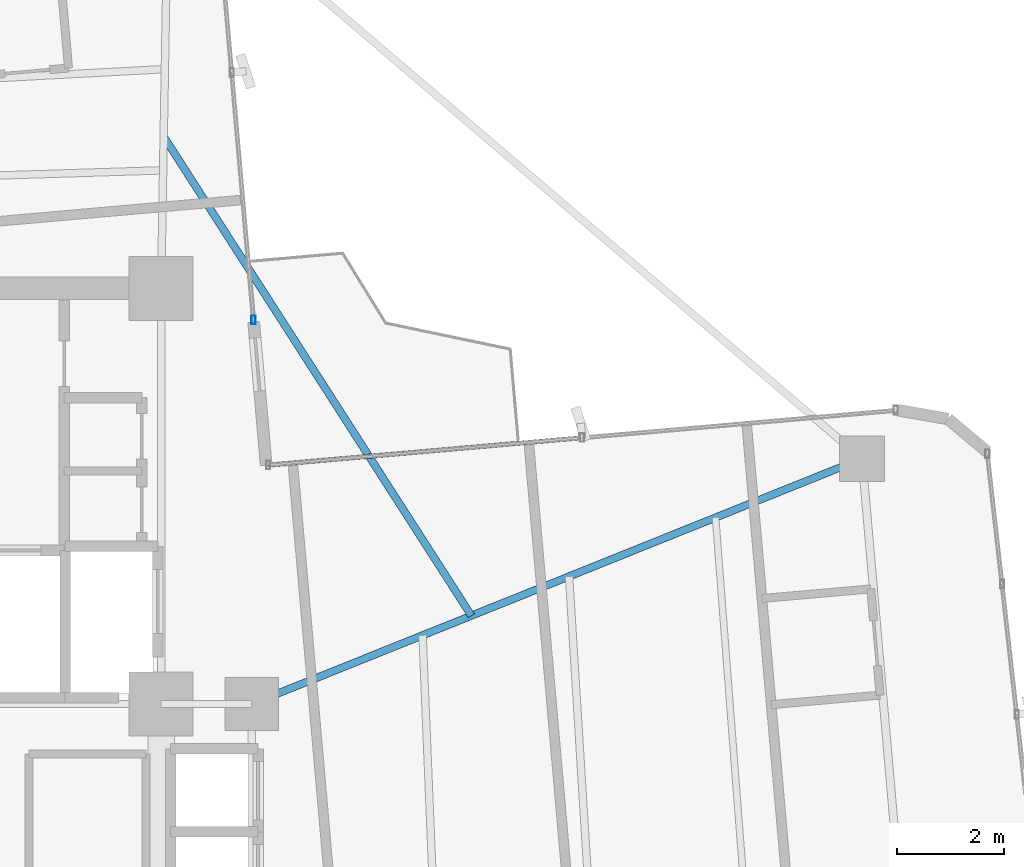
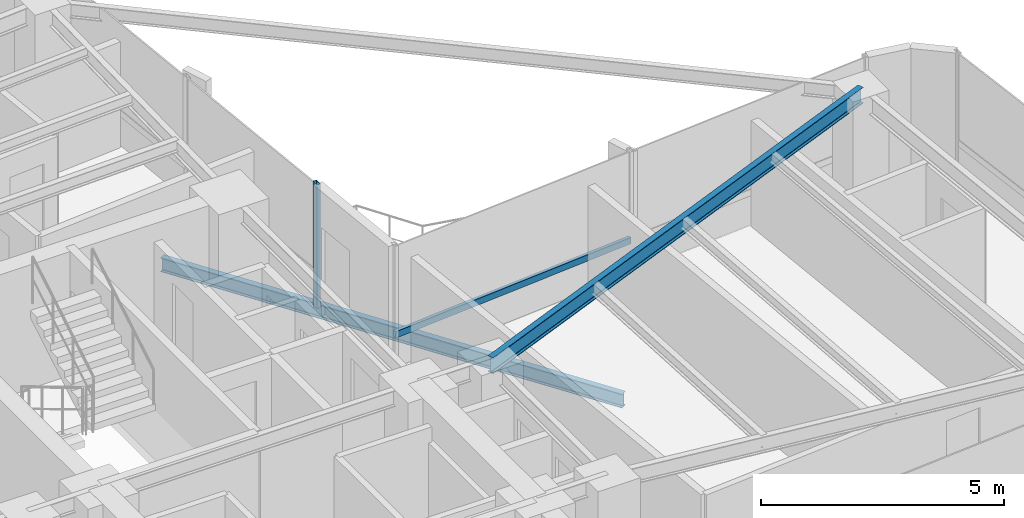
# One storey, part 12 of 24: 2 beams, 2 members, 2 elements without a shape of their own.
"""IFC4 building model written with IfcOpenShell, lengths in metres."""

from ifc_helpers import new_model, si_unit, direction, frame, origin, origin_2d, place, context, subcontext, project, spatial, hollow_rectangle, i_section, extrude, source, transform, mapped, material, material_profile, profile_set, type_object, element, aggregate, save


model = new_model("IFC4")

# Units and contexts
model_context = context("Model", 3, precision=1e-05, world=origin(), true_north=direction((0.0, 1.0)))
body_context = subcontext(model_context, "Body", "Model", "MODEL_VIEW")
ifc_project = project(units=[si_unit("LENGTHUNIT", "METRE"), si_unit("AREAUNIT", "SQUARE_METRE"), si_unit("VOLUMEUNIT", "CUBIC_METRE"), si_unit("PLANEANGLEUNIT", "RADIAN"), si_unit("MASSUNIT", "GRAM", prefix="KILO")], contexts=[model_context])

# Site, building, storey
site_placement = place(None, origin())
site = spatial("IfcSite", under=ifc_project, at=site_placement, CompositionType="ELEMENT")
building_placement = place(site_placement, origin())
building = spatial("IfcBuilding", under=site, at=building_placement, Name="Sahyath Konkavel Grand Hotel", CompositionType="ELEMENT")
storey_placement = place(building_placement, frame((0.0, 0.0, 181.89990234375)))
storey = spatial("IfcBuildingStorey", under=building, at=storey_placement, Name="L50", CompositionType="ELEMENT", Elevation=181.89990234375)

# Beam
ifc_material_1 = material(Name="Steel E350", Category="steel")
ifc_material_profile_1 = material_profile(ifc_material_1, i_section(OverallWidth=0.139892578125, OverallDepth=0.39990234375, WebThickness=0.0087890625, FlangeThickness=0.01611328125, FilletRadius=0.013916015625, at=origin_2d()), Name="ISMB 400")
ifc_profile_set_1 = profile_set([ifc_material_profile_1], Name="Steel E350")
beam_type_1 = type_object("IfcBeamType", Name="BM-ISMB400", PredefinedType="BEAM", material=ifc_profile_set_1)
shared_shape_1 = source(origin(), body_context, "Body", "SweptSolid", [
    extrude(i_section(OverallWidth=0.139892578125, OverallDepth=0.39990234375, WebThickness=0.0087890625, FlangeThickness=0.01611328125, FilletRadius=0.013916015625, at=origin_2d()), origin(), (0.0, 0.0, 1.0), 12.344970703125),
])
beam_1_placement = place(storey_placement, frame((5.5, 2.39990234375, 2.91015625), z_axis=(0.927837014101, 0.372985891507, 0.0), x_axis=(-0.372985891507, 0.927837014101, 0.0)))
element("IfcBeam", 1, at=beam_1_placement, inside=storey, type_object=beam_type_1, Name="L50 Cruciform Radial Girder EB", PredefinedType="BEAM", context=body_context, shape_type="MappedRepresentation", body=[
    mapped(shared_shape_1, transform((0.0, 0.0, 0.0), scale=1.0)),
])

# Curtain wall, member
ifc_material_2 = material(Name="Anodised Bronze Aluminium & Low-E Glazing", Category="aluminium")
curtain_wall_type = type_object("IfcCurtainWallType", Name="CW-ZONE3", PredefinedType="NOTDEFINED", material=ifc_material_2)
curtain_wall_1_placement = place(storey_placement, origin())
curtain_wall_1 = element("IfcCurtainWall", 2, at=curtain_wall_1_placement, inside=storey, type_object=curtain_wall_type, Name="L50 Unitised Curtain Wall F8", PredefinedType="NOTDEFINED")
ifc_material_3 = material(Name="Anodised Bronze Aluminium", Category="aluminium")
ifc_material_profile_2 = material_profile(ifc_material_3, hollow_rectangle(XDim=0.080078125, YDim=0.159912109375, WallThickness=0.006103515625, at=origin_2d()), Name="RHS 160x80x6")
ifc_profile_set_2 = profile_set([ifc_material_profile_2], Name="Anodised Bronze Aluminium")
member_type_1 = type_object("IfcMemberType", Name="CW-MUL-160", PredefinedType="MULLION", material=ifc_profile_set_2)
shared_shape_2 = source(origin(), body_context, "Body", "SweptSolid", [
    extrude(hollow_rectangle(XDim=0.080078125, YDim=0.159912109375, WallThickness=0.006103515625, at=origin_2d()), origin(), (0.0, 0.0, 1.0), 3.110107421875),
])
member_1_placement = place(storey_placement, frame((5.53369140625, 9.60888671875, 0.0), z_axis=(0.0, 0.0, 1.0), x_axis=(1.0, 0.0, 0.0)))
member_1 = element("IfcMember", 3, at=member_1_placement, type_object=member_type_1, Name="L50 Curtain Wall Mullion F8-0", PredefinedType="MULLION", context=body_context, shape_type="MappedRepresentation", body=[
    mapped(shared_shape_2, transform((0.0, 0.0, 0.0), scale=1.0)),
])
aggregate(curtain_wall_1, [member_1])

curtain_wall_2_placement = place(storey_placement, origin())
curtain_wall_2 = element("IfcCurtainWall", 4, at=curtain_wall_2_placement, inside=storey, type_object=curtain_wall_type, Name="L50 Unitised Curtain Wall F7", PredefinedType="NOTDEFINED")
ifc_material_profile_3 = material_profile(ifc_material_3, hollow_rectangle(XDim=0.080078125, YDim=0.159912109375, WallThickness=0.006103515625, at=origin_2d()), Name="RHS 160x80x6")
ifc_profile_set_3 = profile_set([ifc_material_profile_3], Name="Anodised Bronze Aluminium")
member_type_2 = type_object("IfcMemberType", Name="CW-TRN-160", PredefinedType="USERDEFINED", material=ifc_profile_set_3)
shared_shape_3 = source(origin(), body_context, "Body", "SweptSolid", [
    extrude(hollow_rectangle(XDim=0.080078125, YDim=0.159912109375, WallThickness=0.006103515625, at=origin_2d()), origin(), (0.0, 0.0, 1.0), 5.909912109375),
])
member_2_placement = place(storey_placement, frame((11.69970703125, 7.39794921875, 0.85009765625), z_axis=(-0.996193941691, -0.087164388014, 0.0), x_axis=(0.087164388014, -0.996193941691, 0.0)))
member_2 = element("IfcMember", 5, at=member_2_placement, type_object=member_type_2, Name="L50 Curtain Wall Transom F7-1-spandrel", ObjectType="TRANSOM", PredefinedType="USERDEFINED", context=body_context, shape_type="MappedRepresentation", body=[
    mapped(shared_shape_3, transform((0.0, 0.0, 0.0), scale=1.0)),
])
aggregate(curtain_wall_2, [member_2])

# Beam
ifc_material_profile_4 = material_profile(ifc_material_1, i_section(OverallWidth=0.139892578125, OverallDepth=0.35009765625, WebThickness=0.008056640625, FlangeThickness=0.01416015625, FilletRadius=0.013916015625, at=origin_2d()), Name="ISMB 350")
ifc_profile_set_4 = profile_set([ifc_material_profile_4], Name="Steel E350")
beam_type_2 = type_object("IfcBeamType", Name="BM-BALC-CANT", PredefinedType="BEAM", material=ifc_profile_set_4)
shared_shape_4 = source(origin(), body_context, "Body", "SweptSolid", [
    extrude(i_section(OverallWidth=0.139892578125, OverallDepth=0.35009765625, WebThickness=0.008056640625, FlangeThickness=0.01416015625, FilletRadius=0.013916015625, at=origin_2d()), origin(), (0.0, 0.0, 1.0), 10.685302734375),
])
beam_2_placement = place(storey_placement, frame((9.62353515625, 4.0576171875, -0.414794921875), z_axis=(-0.540404181048, 0.841405562797, 0.0), x_axis=(-0.841405562797, -0.540404181048, 0.0)))
element("IfcBeam", 6, at=beam_2_placement, inside=storey, type_object=beam_type_2, Name="L50 Balcony Cantilever Support Beam NE", PredefinedType="BEAM", context=body_context, shape_type="MappedRepresentation", body=[
    mapped(shared_shape_4, transform((0.0, 0.0, 0.0), scale=1.0)),
])

save(model, "model.ifc")
